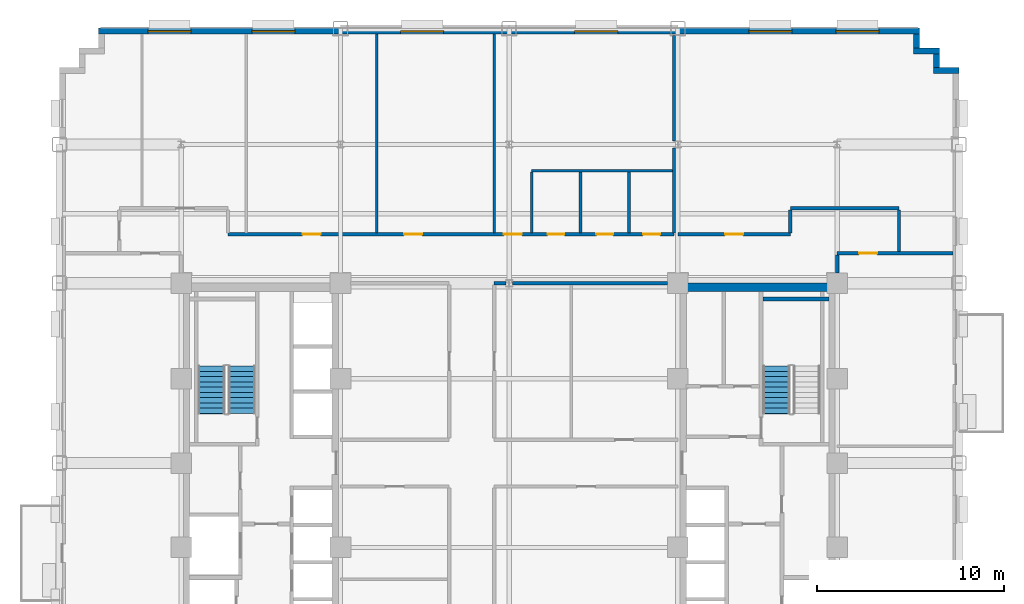
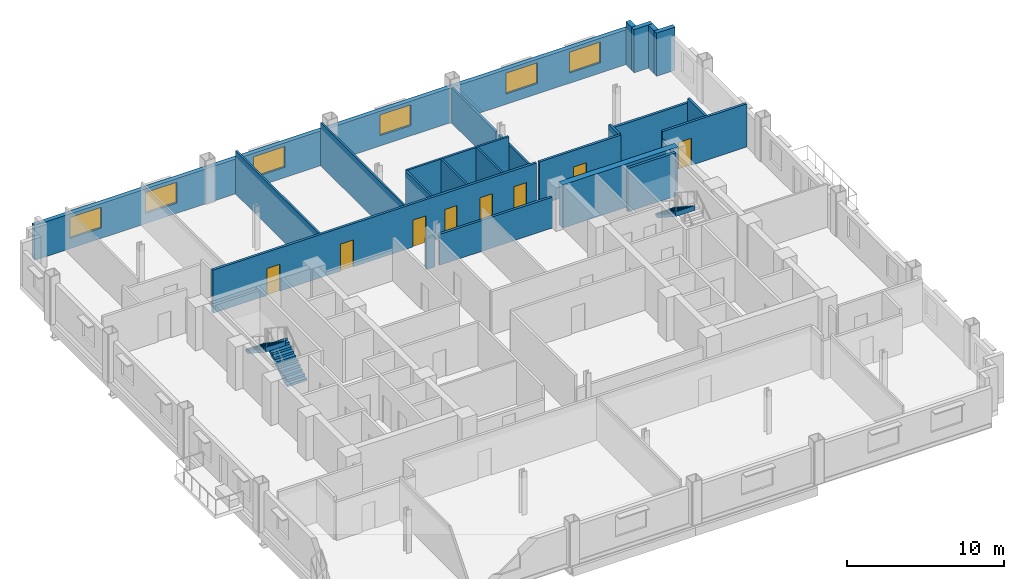
# One storey, part 9 of 15: 24 walls, 8 doors, 6 windows, 3 stair flights, 14 openings, 2 elements without a shape of their own.
"""IFC4 building model written with IfcOpenShell, lengths in metres."""

from ifc_helpers import new_model, si_unit, direction, frame, frame_2d, origin, place, context, subcontext, project, spatial, polyline, rectangle, outline, extrude, source, transform, mapped, material, layer, layer_set, type_object, type_shapes, element, fill, aggregate, save


model = new_model("IFC4")

# Units and contexts
model_context = context("Model", 3, precision=1e-05, world=origin(), true_north=direction((0.0, 1.0)))
body_context = subcontext(model_context, "Body", "Model", "MODEL_VIEW")
ifc_project = project(units=[si_unit("LENGTHUNIT", "METRE"), si_unit("AREAUNIT", "SQUARE_METRE"), si_unit("VOLUMEUNIT", "CUBIC_METRE"), si_unit("PLANEANGLEUNIT", "RADIAN"), si_unit("MASSUNIT", "GRAM", prefix="KILO")], contexts=[model_context])

# Site, building, storey
site_placement = place(None, origin())
site = spatial("IfcSite", under=ifc_project, at=site_placement, CompositionType="ELEMENT")
building_placement = place(site_placement, origin())
building = spatial("IfcBuilding", under=site, at=building_placement, Name="Nuvemarco Arch Tower", CompositionType="ELEMENT")
storey_placement = place(building_placement, frame((0.0, 0.0, 86.0)))
storey = spatial("IfcBuildingStorey", under=building, at=storey_placement, Name="L22", CompositionType="ELEMENT", Elevation=86.0)

# Walls
ifc_material_1 = material(Name="Precast concrete C45/55", Category="concrete")
ifc_layer_1 = layer(ifc_material_1, 0.320068359375, Name="EW-MID-320")
ifc_layer_set_1 = layer_set([ifc_layer_1], Name="Precast concrete C45/55")
wall_type_1 = type_object("IfcWallType", Name="EW-MID-320", PredefinedType="STANDARD", material=ifc_layer_set_1)
wall_1_placement = place(storey_placement, frame((22.6298828125, 20.93994140625, 0.0), z_axis=(0.0, 0.0, 1.0), x_axis=(1.0, 0.0, 0.0)))
element("IfcWall", 1, at=wall_1_placement, inside=storey, type_object=wall_type_1, Name="L22 exterior precast facade wall 7", PredefinedType="STANDARD", context=body_context, shape_type="SweptSolid", body=[
    extrude(rectangle(XDim=1.3701171875, YDim=0.320068359375, at=frame_2d((0.68505859375, 0.0))), origin(), (0.0, 0.0, 1.0), 3.360107421875),
])
wall_2_placement = place(storey_placement, frame((22.7900390625, 21.095947265625, 0.0), z_axis=(0.0, 0.0, 1.0), x_axis=(0.0, 1.0, 0.0)))
element("IfcWall", 2, at=wall_2_placement, inside=storey, type_object=wall_type_1, Name="L22 exterior precast facade wall 8", PredefinedType="STANDARD", context=body_context, shape_type="SweptSolid", body=[
    extrude(rectangle(XDim=0.738037109375, YDim=0.320068359375, at=frame_2d((0.369140625, 0.0))), origin(), (0.0, 0.0, 1.0), 3.360107421875),
])
wall_3_placement = place(storey_placement, frame((21.580078125, 21.989990234375, 0.0), z_axis=(0.0, 0.0, 1.0), x_axis=(1.0, 0.0, 0.0)))
element("IfcWall", 3, at=wall_3_placement, inside=storey, type_object=wall_type_1, Name="L22 exterior precast facade wall 9", PredefinedType="STANDARD", context=body_context, shape_type="SweptSolid", body=[
    extrude(rectangle(XDim=1.369873046875, YDim=0.320068359375, at=frame_2d((0.68505859375, 0.0))), origin(), (0.0, 0.0, 1.0), 3.360107421875),
])
wall_4_placement = place(storey_placement, frame((21.739990234375, 22.14599609375, 0.0), z_axis=(0.0, 0.0, 1.0), x_axis=(0.0, 1.0, 0.0)))
element("IfcWall", 4, at=wall_4_placement, inside=storey, type_object=wall_type_1, Name="L22 exterior precast facade wall 10", PredefinedType="STANDARD", context=body_context, shape_type="SweptSolid", body=[
    extrude(rectangle(XDim=0.738037109375, YDim=0.320068359375, at=frame_2d((0.369140625, 0.0))), origin(), (0.0, 0.0, 1.0), 3.360107421875),
])

# Wall, openings, windows
wall_5_placement = place(storey_placement, frame((-21.89990234375, 23.0400390625, 0.0), z_axis=(0.0, 0.0, 1.0), x_axis=(1.0, 0.0, 0.0)))
wall_5 = element("IfcWall", 5, at=wall_5_placement, inside=storey, type_object=wall_type_1, Name="L22 exterior precast facade wall 11", PredefinedType="STANDARD", context=body_context, shape_type="SweptSolid", body=[
    extrude(rectangle(XDim=43.7998046875, YDim=0.320068359375, at=frame_2d((21.89990234375, 0.0))), origin(), (0.0, 0.0, 1.0), 2.705078125),
])
opening_1_placement = place(wall_5_placement, frame((2.622314453125, 0.0, 0.800048828125)))
opening_1 = element("IfcOpeningElement", 6, at=opening_1_placement, cuts=wall_5, Name="Opening WN-10", PredefinedType="OPENING", context=body_context, shape_type="SweptSolid", body=[
    extrude(rectangle(XDim=2.300048828125, YDim=1.6201171875, at=frame_2d((1.14990234375, 0.81005859375))), frame((0.0, 0.169921875, 0.0), z_axis=(0.0, -1.0, 0.0), x_axis=(1.0, 0.0, 0.0)), (0.0, 0.0, 1.0), 0.340087890625),
])
opening_2_placement = place(wall_5_placement, frame((8.166748046875, 0.0, 0.800048828125)))
opening_2 = element("IfcOpeningElement", 7, at=opening_2_placement, cuts=wall_5, Name="Opening WN-10", PredefinedType="OPENING", context=body_context, shape_type="SweptSolid", body=[
    extrude(rectangle(XDim=2.300048828125, YDim=1.6201171875, at=frame_2d((1.14990234375, 0.81005859375))), frame((0.0, 0.169921875, 0.0), z_axis=(0.0, -1.0, 0.0), x_axis=(1.0, 0.0, 0.0)), (0.0, 0.0, 1.0), 0.340087890625),
])
opening_3_placement = place(wall_5_placement, frame((16.105712890625, 0.0, 0.800048828125)))
opening_3 = element("IfcOpeningElement", 8, at=opening_3_placement, cuts=wall_5, Name="Opening WN-10", PredefinedType="OPENING", context=body_context, shape_type="SweptSolid", body=[
    extrude(rectangle(XDim=2.300048828125, YDim=1.6201171875, at=frame_2d((1.14990234375, 0.81005859375))), frame((0.0, 0.169921875, 0.0), z_axis=(0.0, -1.0, 0.0), x_axis=(1.0, 0.0, 0.0)), (0.0, 0.0, 1.0), 0.340087890625),
])
opening_4_placement = place(wall_5_placement, frame((25.394287109375, 0.0, 0.800048828125)))
opening_4 = element("IfcOpeningElement", 9, at=opening_4_placement, cuts=wall_5, Name="Opening WN-10", PredefinedType="OPENING", context=body_context, shape_type="SweptSolid", body=[
    extrude(rectangle(XDim=2.300048828125, YDim=1.6201171875, at=frame_2d((1.14990234375, 0.81005859375))), frame((0.0, 0.169921875, 0.0), z_axis=(0.0, -1.0, 0.0), x_axis=(1.0, 0.0, 0.0)), (0.0, 0.0, 1.0), 0.340087890625),
])
opening_5_placement = place(wall_5_placement, frame((34.683349609375, 0.0, 0.800048828125)))
opening_5 = element("IfcOpeningElement", 10, at=opening_5_placement, cuts=wall_5, Name="Opening WN-10", PredefinedType="OPENING", context=body_context, shape_type="SweptSolid", body=[
    extrude(rectangle(XDim=2.300048828125, YDim=1.6201171875, at=frame_2d((1.14990234375, 0.81005859375))), frame((0.0, 0.169921875, 0.0), z_axis=(0.0, -1.0, 0.0), x_axis=(1.0, 0.0, 0.0)), (0.0, 0.0, 1.0), 0.340087890625),
])
opening_6_placement = place(wall_5_placement, frame((39.327880859375, 0.0, 0.800048828125)))
opening_6 = element("IfcOpeningElement", 11, at=opening_6_placement, cuts=wall_5, Name="Opening WN-10", PredefinedType="OPENING", context=body_context, shape_type="SweptSolid", body=[
    extrude(rectangle(XDim=2.300048828125, YDim=1.6201171875, at=frame_2d((1.14990234375, 0.81005859375))), frame((0.0, 0.169921875, 0.0), z_axis=(0.0, -1.0, 0.0), x_axis=(1.0, 0.0, 0.0)), (0.0, 0.0, 1.0), 0.340087890625),
])
ifc_material_2 = material(Name="Insulated solar-control glass", Category="glass")
window_type = type_object("IfcWindowType", Name="WN-STEP-2300x1700", PartitioningType="DOUBLE_PANEL_VERTICAL", PredefinedType="WINDOW", material=ifc_material_2)
shared_shape_1 = source(origin(), body_context, "Body", "SweptSolid", [
    extrude(rectangle(XDim=2.300048828125, YDim=1.6201171875, at=frame_2d((1.14990234375, 0.81005859375))), frame((0.0, 0.030029296875, 0.0), z_axis=(0.0, -1.0, 0.0), x_axis=(1.0, 0.0, 0.0)), (0.0, 0.0, 1.0), 0.06005859375),
])
type_shapes(window_type, [shared_shape_1])
window_1_placement = place(opening_1_placement, origin())
window_1 = element("IfcWindow", 12, at=window_1_placement, inside=storey, type_object=window_type, Name="L22 punched facade window 1", OverallHeight=1.6201171875, OverallWidth=2.300048828125, PartitioningType="SINGLE_PANEL", PredefinedType="WINDOW", context=body_context, shape_type="MappedRepresentation", body=[
    mapped(shared_shape_1, transform((0.0, 0.0, 0.0), scale=1.0)),
])
fill(opening_1, window_1)
window_2_placement = place(opening_2_placement, origin())
window_2 = element("IfcWindow", 13, at=window_2_placement, inside=storey, type_object=window_type, Name="L22 punched facade window 2", OverallHeight=1.6201171875, OverallWidth=2.300048828125, PartitioningType="SINGLE_PANEL", PredefinedType="WINDOW", context=body_context, shape_type="MappedRepresentation", body=[
    mapped(shared_shape_1, transform((0.0, 0.0, 0.0), scale=1.0)),
])
fill(opening_2, window_2)
window_3_placement = place(opening_3_placement, origin())
window_3 = element("IfcWindow", 14, at=window_3_placement, inside=storey, type_object=window_type, Name="L22 punched facade window 4", OverallHeight=1.6201171875, OverallWidth=2.300048828125, PartitioningType="SINGLE_PANEL", PredefinedType="WINDOW", context=body_context, shape_type="MappedRepresentation", body=[
    mapped(shared_shape_1, transform((0.0, 0.0, 0.0), scale=1.0)),
])
fill(opening_3, window_3)
window_4_placement = place(opening_4_placement, origin())
window_4 = element("IfcWindow", 15, at=window_4_placement, inside=storey, type_object=window_type, Name="L22 punched facade window 6", OverallHeight=1.6201171875, OverallWidth=2.300048828125, PartitioningType="SINGLE_PANEL", PredefinedType="WINDOW", context=body_context, shape_type="MappedRepresentation", body=[
    mapped(shared_shape_1, transform((0.0, 0.0, 0.0), scale=1.0)),
])
fill(opening_4, window_4)
window_5_placement = place(opening_5_placement, origin())
window_5 = element("IfcWindow", 16, at=window_5_placement, inside=storey, type_object=window_type, Name="L22 punched facade window 8", OverallHeight=1.6201171875, OverallWidth=2.300048828125, PartitioningType="SINGLE_PANEL", PredefinedType="WINDOW", context=body_context, shape_type="MappedRepresentation", body=[
    mapped(shared_shape_1, transform((0.0, 0.0, 0.0), scale=1.0)),
])
fill(opening_5, window_5)
window_6_placement = place(opening_6_placement, origin())
window_6 = element("IfcWindow", 17, at=window_6_placement, inside=storey, type_object=window_type, Name="L22 punched facade window 9", OverallHeight=1.6201171875, OverallWidth=2.300048828125, PartitioningType="SINGLE_PANEL", PredefinedType="WINDOW", context=body_context, shape_type="MappedRepresentation", body=[
    mapped(shared_shape_1, transform((0.0, 0.0, 0.0), scale=1.0)),
])
fill(opening_6, window_6)

# Walls
ifc_material_3 = material(Name="Concrete C60/75", Category="concrete")
ifc_layer_2 = layer(ifc_material_3, 0.449951171875, Name="WL-CORE-450")
ifc_layer_set_2 = layer_set([ifc_layer_2], Name="Concrete C60/75")
wall_type_2 = type_object("IfcWallType", Name="WL-CORE-450", PredefinedType="SHEAR", material=ifc_layer_set_2)
wall_6_placement = place(storey_placement, frame((9.0, 9.375, 0.0), z_axis=(0.0, 0.0, 1.0), x_axis=(1.0, 0.0, 0.0)))
element("IfcWall", 18, at=wall_6_placement, inside=storey, type_object=wall_type_2, Name="L22 E-core shear wall N", PredefinedType="SHEAR", context=body_context, shape_type="SweptSolid", body=[
    extrude(rectangle(XDim=8.5, YDim=0.449951171875, at=frame_2d((4.25, 0.0))), origin(), (0.0, 0.0, 1.0), 3.3701171875),
])
ifc_material_4 = material(Name="Fire-rated gypsum drywall partition")
ifc_layer_3 = layer(ifc_material_4, 0.179931640625, Name="WL-CORR-180")
ifc_layer_set_3 = layer_set([ifc_layer_3], Name="Fire-rated gypsum drywall partition")
wall_type_3 = type_object("IfcWallType", Name="WL-CORR-180", PredefinedType="PARTITIONING", material=ifc_layer_set_3)
wall_7_placement = place(storey_placement, frame((-0.800048828125, 9.60009765625, 0.0), z_axis=(0.0, 0.0, 1.0), x_axis=(1.0, 0.0, 0.0)))
element("IfcWall", 19, at=wall_7_placement, inside=storey, type_object=wall_type_3, Name="L22 interior wall IW-L22-016", PredefinedType="PARTITIONING", context=body_context, shape_type="SweptSolid", body=[
    extrude(rectangle(XDim=0.6240234375, YDim=0.179931640625, at=frame_2d((0.31201171875, 0.0))), origin(), (0.0, 0.0, 1.0), 2.405029296875),
])
wall_8_placement = place(storey_placement, frame((0.176025390625, 9.60009765625, 0.0), z_axis=(0.0, 0.0, 1.0), x_axis=(1.0, 0.0, 0.0)))
element("IfcWall", 20, at=wall_8_placement, inside=storey, type_object=wall_type_3, Name="L22 interior wall IW-L22-017", PredefinedType="PARTITIONING", context=body_context, shape_type="SweptSolid", body=[
    extrude(rectangle(XDim=8.278076171875, YDim=0.179931640625, at=frame_2d((4.13916015625, 0.0))), origin(), (0.0, 0.0, 1.0), 2.405029296875),
])

# Wall, opening, door
wall_9_placement = place(storey_placement, frame((17.5, 11.199951171875, 0.0), z_axis=(0.0, 0.0, 1.0), x_axis=(1.0, 0.0, 0.0)))
wall_9 = element("IfcWall", 21, at=wall_9_placement, inside=storey, type_object=wall_type_3, Name="L22 interior wall IW-L22-019", PredefinedType="PARTITIONING", context=body_context, shape_type="SweptSolid", body=[
    extrude(rectangle(XDim=6.179931640625, YDim=0.179931640625, at=frame_2d((3.08984375, 0.0))), origin(), (0.0, 0.0, 1.0), 3.360107421875),
])
opening_7_placement = place(wall_9_placement, frame((1.169921875, 0.0, 0.0)))
opening_7 = element("IfcOpeningElement", 22, at=opening_7_placement, cuts=wall_9, Name="Opening FD-5", PredefinedType="OPENING", context=body_context, shape_type="SweptSolid", body=[
    extrude(rectangle(XDim=0.9599609375, YDim=2.10009765625, at=frame_2d((0.47998046875, 1.050048828125))), frame((0.0, 0.099853515625, 0.0), z_axis=(0.0, -1.0, 0.0), x_axis=(1.0, 0.0, 0.0)), (0.0, 0.0, 1.0), 0.199951171875),
])
ifc_material_5 = material(Name="Timber fire door", Category="wood")
door_type_1 = type_object("IfcDoorType", Name="DR-CORR-FD", OperationType="NOTDEFINED", PredefinedType="DOOR", material=ifc_material_5)
shared_shape_2 = source(origin(), body_context, "Body", "SweptSolid", [
    extrude(rectangle(XDim=0.9599609375, YDim=2.10009765625, at=frame_2d((0.47998046875, 1.050048828125))), frame((0.0, 0.02490234375, 0.0), z_axis=(0.0, -1.0, 0.0), x_axis=(1.0, 0.0, 0.0)), (0.0, 0.0, 1.0), 0.050048828125),
])
type_shapes(door_type_1, [shared_shape_2])
door_1_placement = place(opening_7_placement, origin())
door_1 = element("IfcDoor", 23, at=door_1_placement, inside=storey, type_object=door_type_1, Name="L22 door DR-L22-E_2", OperationType="SINGLE_SWING_LEFT", OverallHeight=2.10009765625, OverallWidth=0.9599609375, PredefinedType="DOOR", context=body_context, shape_type="MappedRepresentation", body=[
    mapped(shared_shape_2, transform((0.0, 0.0, 0.0), scale=1.0)),
])
fill(opening_7, door_1)

# Wall, openings, doors
wall_10_placement = place(storey_placement, frame((-15.0, 12.199951171875, 0.0), z_axis=(0.0, 0.0, 1.0), x_axis=(1.0, 0.0, 0.0)))
wall_10 = element("IfcWall", 24, at=wall_10_placement, inside=storey, type_object=wall_type_3, Name="L22 interior wall IW-L22-020", PredefinedType="PARTITIONING", context=body_context, shape_type="SweptSolid", body=[
    extrude(rectangle(XDim=23.800048828125, YDim=0.179931640625, at=frame_2d((11.89990234375, 0.0))), origin(), (0.0, 0.0, 1.0), 3.360107421875),
])
opening_8_placement = place(wall_10_placement, frame((3.97998046875, 0.0, 0.0)))
opening_8 = element("IfcOpeningElement", 25, at=opening_8_placement, cuts=wall_10, Name="Opening FD-5", PredefinedType="OPENING", context=body_context, shape_type="SweptSolid", body=[
    extrude(rectangle(XDim=0.9599609375, YDim=2.10009765625, at=frame_2d((0.47998046875, 1.050048828125))), frame((0.0, 0.099853515625, 0.0), z_axis=(0.0, -1.0, 0.0), x_axis=(1.0, 0.0, 0.0)), (0.0, 0.0, 1.0), 0.199951171875),
])
opening_9_placement = place(wall_10_placement, frame((9.389892578125, 0.0, 0.0)))
opening_9 = element("IfcOpeningElement", 26, at=opening_9_placement, cuts=wall_10, Name="Opening FD-5", PredefinedType="OPENING", context=body_context, shape_type="SweptSolid", body=[
    extrude(rectangle(XDim=0.9599609375, YDim=2.10009765625, at=frame_2d((0.47998046875, 1.050048828125))), frame((0.0, 0.099853515625, 0.0), z_axis=(0.0, -1.0, 0.0), x_axis=(1.0, 0.0, 0.0)), (0.0, 0.0, 1.0), 0.199951171875),
])
opening_10_placement = place(wall_10_placement, frame((19.64990234375, 0.0, 0.0)))
opening_10 = element("IfcOpeningElement", 27, at=opening_10_placement, cuts=wall_10, Name="Opening ID-3", PredefinedType="OPENING", context=body_context, shape_type="SweptSolid", body=[
    extrude(rectangle(XDim=0.89990234375, YDim=2.10009765625, at=frame_2d((0.449951171875, 1.050048828125))), frame((0.0, 0.099853515625, 0.0), z_axis=(0.0, -1.0, 0.0), x_axis=(1.0, 0.0, 0.0)), (0.0, 0.0, 1.0), 0.199951171875),
])
opening_11_placement = place(wall_10_placement, frame((17.050048828125, 0.0, 0.0)))
opening_11 = element("IfcOpeningElement", 28, at=opening_11_placement, cuts=wall_10, Name="Opening ID-3", PredefinedType="OPENING", context=body_context, shape_type="SweptSolid", body=[
    extrude(rectangle(XDim=0.89990234375, YDim=2.10009765625, at=frame_2d((0.449951171875, 1.050048828125))), frame((0.0, 0.099853515625, 0.0), z_axis=(0.0, -1.0, 0.0), x_axis=(1.0, 0.0, 0.0)), (0.0, 0.0, 1.0), 0.199951171875),
])
opening_12_placement = place(wall_10_placement, frame((22.14990234375, 0.0, 0.0)))
opening_12 = element("IfcOpeningElement", 29, at=opening_12_placement, cuts=wall_10, Name="Opening ID-3", PredefinedType="OPENING", context=body_context, shape_type="SweptSolid", body=[
    extrude(rectangle(XDim=0.89990234375, YDim=2.10009765625, at=frame_2d((0.449951171875, 1.050048828125))), frame((0.0, 0.099853515625, 0.0), z_axis=(0.0, -1.0, 0.0), x_axis=(1.0, 0.0, 0.0)), (0.0, 0.0, 1.0), 0.199951171875),
])
opening_13_placement = place(wall_10_placement, frame((14.719970703125, 0.0, 0.0)))
opening_13 = element("IfcOpeningElement", 30, at=opening_13_placement, cuts=wall_10, Name="Opening FD-5", PredefinedType="OPENING", context=body_context, shape_type="SweptSolid", body=[
    extrude(rectangle(XDim=0.9599609375, YDim=2.10009765625, at=frame_2d((0.47998046875, 1.050048828125))), frame((0.0, 0.099853515625, 0.0), z_axis=(0.0, -1.0, 0.0), x_axis=(1.0, 0.0, 0.0)), (0.0, 0.0, 1.0), 0.199951171875),
])
door_2_placement = place(opening_8_placement, origin())
door_2 = element("IfcDoor", 31, at=door_2_placement, inside=storey, type_object=door_type_1, Name="L22 door DR-L22-N_3", OperationType="SINGLE_SWING_RIGHT", OverallHeight=2.10009765625, OverallWidth=0.9599609375, PredefinedType="DOOR", context=body_context, shape_type="MappedRepresentation", body=[
    mapped(shared_shape_2, transform((0.0, 0.0, 0.0), scale=1.0)),
])
fill(opening_8, door_2)
door_3_placement = place(opening_9_placement, origin())
door_3 = element("IfcDoor", 32, at=door_3_placement, inside=storey, type_object=door_type_1, Name="L22 door DR-L22-N_4", OperationType="SINGLE_SWING_RIGHT", OverallHeight=2.10009765625, OverallWidth=0.9599609375, PredefinedType="DOOR", context=body_context, shape_type="MappedRepresentation", body=[
    mapped(shared_shape_2, transform((0.0, 0.0, 0.0), scale=1.0)),
])
fill(opening_9, door_3)
door_4_placement = place(opening_13_placement, origin())
door_4 = element("IfcDoor", 33, at=door_4_placement, inside=storey, type_object=door_type_1, Name="L22 door DR-L22-N_5", OperationType="SINGLE_SWING_RIGHT", OverallHeight=2.10009765625, OverallWidth=0.9599609375, PredefinedType="DOOR", context=body_context, shape_type="MappedRepresentation", body=[
    mapped(shared_shape_2, transform((0.0, 0.0, 0.0), scale=1.0)),
])
fill(opening_13, door_4)
ifc_material_6 = material(Name="Veneered oak timber fire door", Category="wood")
door_type_2 = type_object("IfcDoorType", Name="DR-WC-ACC", OperationType="NOTDEFINED", PredefinedType="DOOR", material=ifc_material_6)
shared_shape_3 = source(origin(), body_context, "Body", "SweptSolid", [
    extrude(rectangle(XDim=0.89990234375, YDim=2.10009765625, at=frame_2d((0.449951171875, 1.050048828125))), frame((0.0, 0.02490234375, 0.0), z_axis=(0.0, -1.0, 0.0), x_axis=(1.0, 0.0, 0.0)), (0.0, 0.0, 1.0), 0.050048828125),
])
type_shapes(door_type_2, [shared_shape_3])
door_5_placement = place(opening_10_placement, origin())
door_5 = element("IfcDoor", 34, at=door_5_placement, inside=storey, type_object=door_type_2, Name="L22 door DR-L22-WC_F", OperationType="SINGLE_SWING_RIGHT", OverallHeight=2.10009765625, OverallWidth=0.89990234375, PredefinedType="DOOR", context=body_context, shape_type="MappedRepresentation", body=[
    mapped(shared_shape_3, transform((0.0, 0.0, 0.0), scale=1.0)),
])
fill(opening_10, door_5)
door_6_placement = place(opening_11_placement, origin())
door_6 = element("IfcDoor", 35, at=door_6_placement, inside=storey, type_object=door_type_2, Name="L22 door DR-L22-WC_M", OperationType="SINGLE_SWING_LEFT", OverallHeight=2.10009765625, OverallWidth=0.89990234375, PredefinedType="DOOR", context=body_context, shape_type="MappedRepresentation", body=[
    mapped(shared_shape_3, transform((0.0, 0.0, 0.0), scale=1.0)),
])
fill(opening_11, door_6)
door_7_placement = place(opening_12_placement, origin())
door_7 = element("IfcDoor", 36, at=door_7_placement, inside=storey, type_object=door_type_2, Name="L22 door DR-L22-WC_ACC", OperationType="SINGLE_SWING_RIGHT", OverallHeight=2.10009765625, OverallWidth=0.89990234375, PredefinedType="DOOR", context=body_context, shape_type="MappedRepresentation", body=[
    mapped(shared_shape_3, transform((0.0, 0.0, 0.0), scale=1.0)),
])
fill(opening_12, door_7)

# Wall, opening, door
wall_11_placement = place(storey_placement, frame((9.0, 12.199951171875, 0.0), z_axis=(0.0, 0.0, 1.0), x_axis=(1.0, 0.0, 0.0)))
wall_11 = element("IfcWall", 37, at=wall_11_placement, inside=storey, type_object=wall_type_3, Name="L22 interior wall IW-L22-021", PredefinedType="PARTITIONING", context=body_context, shape_type="SweptSolid", body=[
    extrude(rectangle(XDim=6.0, YDim=0.179931640625, at=frame_2d((3.0, 0.0))), origin(), (0.0, 0.0, 1.0), 3.360107421875),
])
opening_14_placement = place(wall_11_placement, frame((2.52001953125, 0.0, 0.0)))
opening_14 = element("IfcOpeningElement", 38, at=opening_14_placement, cuts=wall_11, Name="Opening FD-5", PredefinedType="OPENING", context=body_context, shape_type="SweptSolid", body=[
    extrude(rectangle(XDim=0.9599609375, YDim=2.10009765625, at=frame_2d((0.47998046875, 1.050048828125))), frame((0.0, 0.099853515625, 0.0), z_axis=(0.0, -1.0, 0.0), x_axis=(1.0, 0.0, 0.0)), (0.0, 0.0, 1.0), 0.199951171875),
])
door_8_placement = place(opening_14_placement, origin())
door_8 = element("IfcDoor", 39, at=door_8_placement, inside=storey, type_object=door_type_1, Name="L22 door DR-L22-N_6", OperationType="SINGLE_SWING_LEFT", OverallHeight=2.10009765625, OverallWidth=0.9599609375, PredefinedType="DOOR", context=body_context, shape_type="MappedRepresentation", body=[
    mapped(shared_shape_2, transform((0.0, 0.0, 0.0), scale=1.0)),
])
fill(opening_14, door_8)

# Walls
wall_12_placement = place(storey_placement, frame((15.0, 13.60009765625, 0.0), z_axis=(0.0, 0.0, 1.0), x_axis=(1.0, 0.0, 0.0)))
element("IfcWall", 40, at=wall_12_placement, inside=storey, type_object=wall_type_3, Name="L22 interior wall IW-L22-023", PredefinedType="PARTITIONING", context=body_context, shape_type="SweptSolid", body=[
    extrude(rectangle(XDim=5.800048828125, YDim=0.179931640625, at=frame_2d((2.89990234375, 0.0))), origin(), (0.0, 0.0, 1.0), 2.998046875),
])
wall_13_placement = place(storey_placement, frame((15.0, 12.285888671875, 0.0), z_axis=(0.0, 0.0, 1.0), x_axis=(0.0, 1.0, 0.0)))
element("IfcWall", 41, at=wall_13_placement, inside=storey, type_object=wall_type_3, Name="L22 interior wall IW-L22-048", PredefinedType="PARTITIONING", context=body_context, shape_type="SweptSolid", body=[
    extrude(rectangle(XDim=1.22802734375, YDim=0.179931640625, at=frame_2d((0.614013671875, 0.0))), origin(), (0.0, 0.0, 1.0), 3.360107421875),
])
wall_14_placement = place(storey_placement, frame((17.5, 10.14599609375, 0.0), z_axis=(0.0, 0.0, 1.0), x_axis=(0.0, 1.0, 0.0)))
element("IfcWall", 42, at=wall_14_placement, inside=storey, type_object=wall_type_3, Name="L22 interior wall IW-L22-051", PredefinedType="PARTITIONING", context=body_context, shape_type="SweptSolid", body=[
    extrude(rectangle(XDim=0.968017578125, YDim=0.179931640625, at=frame_2d((0.48388671875, 0.0))), origin(), (0.0, 0.0, 1.0), 2.738037109375),
])
wall_15_placement = place(storey_placement, frame((20.800048828125, 11.285888671875, 0.0), z_axis=(0.0, 0.0, 1.0), x_axis=(0.0, 1.0, 0.0)))
element("IfcWall", 43, at=wall_15_placement, inside=storey, type_object=wall_type_3, Name="L22 interior wall IW-L22-053", PredefinedType="PARTITIONING", context=body_context, shape_type="SweptSolid", body=[
    extrude(rectangle(XDim=2.22802734375, YDim=0.179931640625, at=frame_2d((1.114013671875, 0.0))), origin(), (0.0, 0.0, 1.0), 3.360107421875),
])
ifc_material_7 = material(Name="Glazed acoustic office partition")
ifc_layer_4 = layer(ifc_material_7, 0.1298828125, Name="WL-EXEC-130")
ifc_layer_set_4 = layer_set([ifc_layer_4], Name="Glazed acoustic office partition")
wall_type_4 = type_object("IfcWallType", Name="WL-EXEC-130", PredefinedType="PARTITIONING", material=ifc_layer_set_4)
wall_16_placement = place(storey_placement, frame((-0.800048828125, 12.285888671875, 0.0), z_axis=(0.0, 0.0, 1.0), x_axis=(0.0, 1.0, 0.0)))
element("IfcWall", 44, at=wall_16_placement, inside=storey, type_object=wall_type_4, Name="L22 interior wall IW-L22-040", PredefinedType="PARTITIONING", context=body_context, shape_type="SweptSolid", body=[
    extrude(rectangle(XDim=10.593994140625, YDim=0.1298828125, at=frame_2d((5.296875, 0.0))), origin(), (0.0, 0.0, 1.0), 3.360107421875),
])
ifc_material_8 = material(Name="Gypsum plasterboard partition")
ifc_layer_5 = layer(ifc_material_8, 0.139892578125, Name="WL-ROOM-140")
ifc_layer_set_5 = layer_set([ifc_layer_5], Name="Gypsum plasterboard partition")
wall_type_5 = type_object("IfcWallType", Name="WL-ROOM-140", PredefinedType="PARTITIONING", material=ifc_layer_set_5)
wall_17_placement = place(storey_placement, frame((-7.06005859375, 12.285888671875, 0.0), z_axis=(0.0, 0.0, 1.0), x_axis=(0.0, 1.0, 0.0)))
element("IfcWall", 45, at=wall_17_placement, inside=storey, type_object=wall_type_5, Name="L22 interior wall IW-L22-034", PredefinedType="PARTITIONING", context=body_context, shape_type="SweptSolid", body=[
    extrude(rectangle(XDim=10.593994140625, YDim=0.139892578125, at=frame_2d((5.296875, 0.0))), origin(), (0.0, 0.0, 1.0), 3.360107421875),
])
ifc_material_9 = material(Name="Concrete C50/60", Category="concrete")
ifc_layer_6 = layer(ifc_material_9, 0.199951171875, Name="WL-SHAFT-220")
ifc_layer_set_6 = layer_set([ifc_layer_6], Name="Concrete C50/60")
wall_type_6 = type_object("IfcWallType", Name="WL-SHAFT-220", PredefinedType="SHEAR", material=ifc_layer_set_6)
wall_18_placement = place(storey_placement, frame((13.534912109375, 8.75, 0.0), z_axis=(0.0, 0.0, 1.0), x_axis=(1.0, 0.0, 0.0)))
element("IfcWall", 46, at=wall_18_placement, inside=storey, type_object=wall_type_6, Name="L22 structural shaft wall SW-L22-E-ST2N", PredefinedType="SHEAR", context=body_context, shape_type="SweptSolid", body=[
    extrude(rectangle(XDim=3.52001953125, YDim=0.199951171875, at=frame_2d((1.760009765625, 0.0))), origin(), (0.0, 0.0, 1.0), 3.3701171875),
])
ifc_material_10 = material(Name="Moisture-resistant gypsum partition")
ifc_layer_7 = layer(ifc_material_10, 0.14990234375, Name="WL-WET-150")
ifc_layer_set_7 = layer_set([ifc_layer_7], Name="Moisture-resistant gypsum partition")
wall_type_7 = type_object("IfcWallType", Name="WL-WET-150", PredefinedType="PARTITIONING", material=ifc_layer_set_7)
wall_19_placement = place(storey_placement, frame((1.199951171875, 15.60009765625, 0.0), z_axis=(0.0, 0.0, 1.0), x_axis=(1.0, 0.0, 0.0)))
element("IfcWall", 47, at=wall_19_placement, inside=storey, type_object=wall_type_7, Name="L22 interior wall IW-L22-024", PredefinedType="PARTITIONING", context=body_context, shape_type="SweptSolid", body=[
    extrude(rectangle(XDim=7.529052734375, YDim=0.14990234375, at=frame_2d((3.7646484375, 0.0))), origin(), (0.0, 0.0, 1.0), 3.360107421875),
])
for number, where, z_axis, x_axis, name in (
    (48, (1.199951171875, 12.285888671875, 0.0), (0.0, 0.0, 1.0), (0.0, 1.0, 0.0), "L22 interior wall IW-L22-041"),
    (49, (3.800048828125, 12.285888671875, 0.0), (0.0, 0.0, 1.0), (0.0, 1.0, 0.0), "L22 interior wall IW-L22-043"),
    (50, (6.39990234375, 12.285888671875, 0.0), (0.0, 0.0, 1.0), (0.0, 1.0, 0.0), "L22 interior wall IW-L22-044"),
):
    element("IfcWall", number, at=place(storey_placement, frame(where, z_axis=z_axis, x_axis=x_axis)), inside=storey, type_object=wall_type_7, Name=name, PredefinedType="PARTITIONING", context=body_context, shape_type="SweptSolid", body=[
        extrude(rectangle(XDim=3.2431640625, YDim=0.14990234375, at=frame_2d((1.62158203125, 0.0))), origin(), (0.0, 0.0, 1.0), 3.360107421875),
    ])
wall_20_placement = place(storey_placement, frame((8.800048828125, 12.285888671875, 0.0), z_axis=(0.0, 0.0, 1.0), x_axis=(0.0, 1.0, 0.0)))
element("IfcWall", 51, at=wall_20_placement, inside=storey, type_object=wall_type_7, Name="L22 interior wall IW-L22-045", PredefinedType="PARTITIONING", context=body_context, shape_type="SweptSolid", body=[
    extrude(rectangle(XDim=4.5380859375, YDim=0.14990234375, at=frame_2d((2.26904296875, 0.0))), origin(), (0.0, 0.0, 1.0), 2.738037109375),
])
wall_21_placement = place(storey_placement, frame((8.800048828125, 17.176025390625, 0.0), z_axis=(0.0, 0.0, 1.0), x_axis=(0.0, 1.0, 0.0)))
element("IfcWall", 52, at=wall_21_placement, inside=storey, type_object=wall_type_7, Name="L22 interior wall IW-L22-046", PredefinedType="PARTITIONING", context=body_context, shape_type="SweptSolid", body=[
    extrude(rectangle(XDim=5.6279296875, YDim=0.14990234375, at=frame_2d((2.81396484375, 0.0))), origin(), (0.0, 0.0, 1.0), 2.738037109375),
])

# Stair, stair flights
stair_type = type_object("IfcStairType", Name="ST-CORE-20R", PredefinedType="HALF_TURN_STAIR", material=ifc_material_1)
stair_1_placement = place(storey_placement, origin())
stair_1 = element("IfcStair", 53, at=stair_1_placement, inside=storey, type_object=stair_type, Name="L22 Protected Exit Stair ST-1", PredefinedType="HALF_TURN_STAIR")
stair_flight_type = type_object("IfcStairFlightType", Name="SF-CORE-20R", PredefinedType="STRAIGHT", material=ifc_material_1)
stair_flight_1_placement = place(storey_placement, frame((-14.264892578125, 2.64990234375, 0.0), z_axis=(0.0, 0.0, 1.0), x_axis=(0.0, 1.0, 0.0)))
stair_flight_1 = element("IfcStairFlight", 54, at=stair_flight_1_placement, type_object=stair_flight_type, Name="ST-20R flight 1", NumberOfRisers=10, NumberOfTreads=9, PredefinedType="STRAIGHT", RiserHeight=0.1825, TreadLength=0.28, context=body_context, shape_type="SweptSolid", body=[
    extrude(outline(polyline([(0.0, 0.0), (0.0, 0.1826171875), (0.280029296875, 0.1826171875), (0.280029296875, 0.364990234375), (0.56005859375, 0.364990234375), (0.56005859375, 0.547607421875), (0.840087890625, 0.547607421875), (0.840087890625, 0.72998046875), (1.1201171875, 0.72998046875), (1.1201171875, 0.91259765625), (1.39990234375, 0.91259765625), (1.39990234375, 1.094970703125), (1.679931640625, 1.094970703125), (1.679931640625, 1.277587890625), (1.9599609375, 1.277587890625), (1.9599609375, 1.4599609375), (2.239990234375, 1.4599609375), (2.239990234375, 1.642578125), (2.52001953125, 1.642578125), (2.52001953125, 1.824951171875), (2.5400390625, 1.824951171875), (2.5400390625, 1.45166015625), (0.312744140625, 0.0), (0.0, 0.0)])), frame((0.0, 0.72509765625, 0.0), z_axis=(0.0, -1.0, 0.0), x_axis=(1.0, 0.0, 0.0)), (0.0, 0.0, 1.0), 1.449951171875),
])
stair_flight_2_placement = place(storey_placement, frame((-15.875, 5.169921875, 1.824951171875), z_axis=(0.0, 0.0, 1.0), x_axis=(0.0, -1.0, 0.0)))
stair_flight_2 = element("IfcStairFlight", 55, at=stair_flight_2_placement, type_object=stair_flight_type, Name="ST-20R flight 2", NumberOfRisers=10, NumberOfTreads=9, PredefinedType="STRAIGHT", RiserHeight=0.1825, TreadLength=0.28, context=body_context, shape_type="SweptSolid", body=[
    extrude(outline(polyline([(0.0, 0.0), (0.0, 0.1826171875), (0.280029296875, 0.1826171875), (0.280029296875, 0.364990234375), (0.56005859375, 0.364990234375), (0.56005859375, 0.547607421875), (0.840087890625, 0.547607421875), (0.840087890625, 0.72998046875), (1.1201171875, 0.72998046875), (1.1201171875, 0.91259765625), (1.39990234375, 0.91259765625), (1.39990234375, 1.094970703125), (1.679931640625, 1.094970703125), (1.679931640625, 1.277587890625), (1.9599609375, 1.277587890625), (1.9599609375, 1.4599609375), (2.239990234375, 1.4599609375), (2.239990234375, 1.642578125), (2.52001953125, 1.642578125), (2.52001953125, 1.824951171875), (2.5400390625, 1.824951171875), (2.5400390625, 1.45166015625), (0.312744140625, 0.0), (0.0, 0.0)])), frame((0.0, 0.72509765625, 0.0), z_axis=(0.0, -1.0, 0.0), x_axis=(1.0, 0.0, 0.0)), (0.0, 0.0, 1.0), 1.449951171875),
])
aggregate(stair_1, [stair_flight_1, stair_flight_2])

# Stair, stair flight
stair_2_placement = place(storey_placement, origin())
stair_2 = element("IfcStair", 56, at=stair_2_placement, inside=storey, type_object=stair_type, Name="L22 Protected Exit Stair ST-2", PredefinedType="HALF_TURN_STAIR")
stair_flight_3_placement = place(storey_placement, frame((14.264892578125, 5.169921875, 1.824951171875), z_axis=(0.0, 0.0, 1.0), x_axis=(0.0, -1.0, 0.0)))
stair_flight_3 = element("IfcStairFlight", 57, at=stair_flight_3_placement, type_object=stair_flight_type, Name="ST-20R flight 2", NumberOfRisers=10, NumberOfTreads=9, PredefinedType="STRAIGHT", RiserHeight=0.1825, TreadLength=0.28, context=body_context, shape_type="SweptSolid", body=[
    extrude(outline(polyline([(0.0, 0.0), (0.0, 0.1826171875), (0.280029296875, 0.1826171875), (0.280029296875, 0.364990234375), (0.56005859375, 0.364990234375), (0.56005859375, 0.547607421875), (0.840087890625, 0.547607421875), (0.840087890625, 0.72998046875), (1.1201171875, 0.72998046875), (1.1201171875, 0.91259765625), (1.39990234375, 0.91259765625), (1.39990234375, 1.094970703125), (1.679931640625, 1.094970703125), (1.679931640625, 1.277587890625), (1.9599609375, 1.277587890625), (1.9599609375, 1.4599609375), (2.239990234375, 1.4599609375), (2.239990234375, 1.642578125), (2.52001953125, 1.642578125), (2.52001953125, 1.824951171875), (2.5400390625, 1.824951171875), (2.5400390625, 1.45166015625), (0.312744140625, 0.0), (0.0, 0.0)])), frame((0.0, 0.72509765625, 0.0), z_axis=(0.0, -1.0, 0.0), x_axis=(1.0, 0.0, 0.0)), (0.0, 0.0, 1.0), 1.449951171875),
])
aggregate(stair_2, [stair_flight_3])

save(model, "model.ifc")
